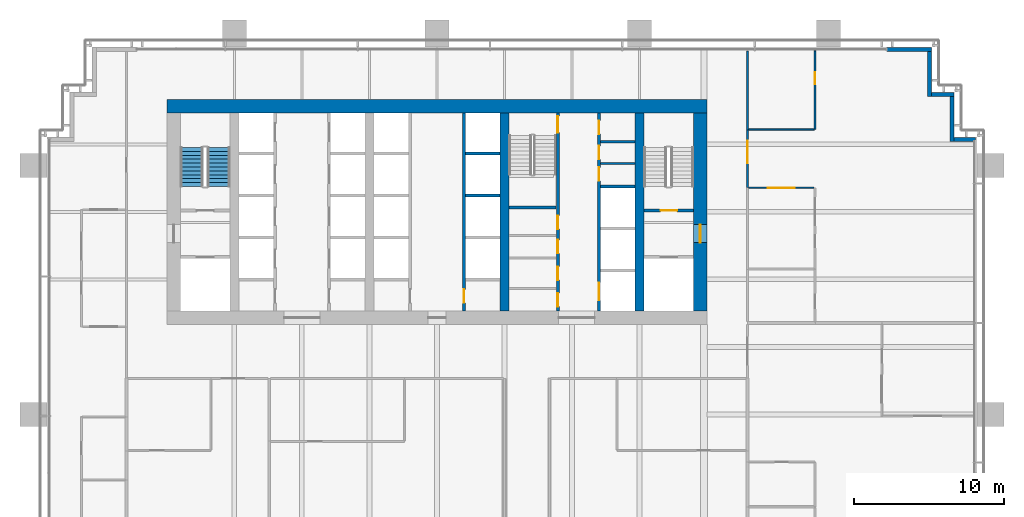
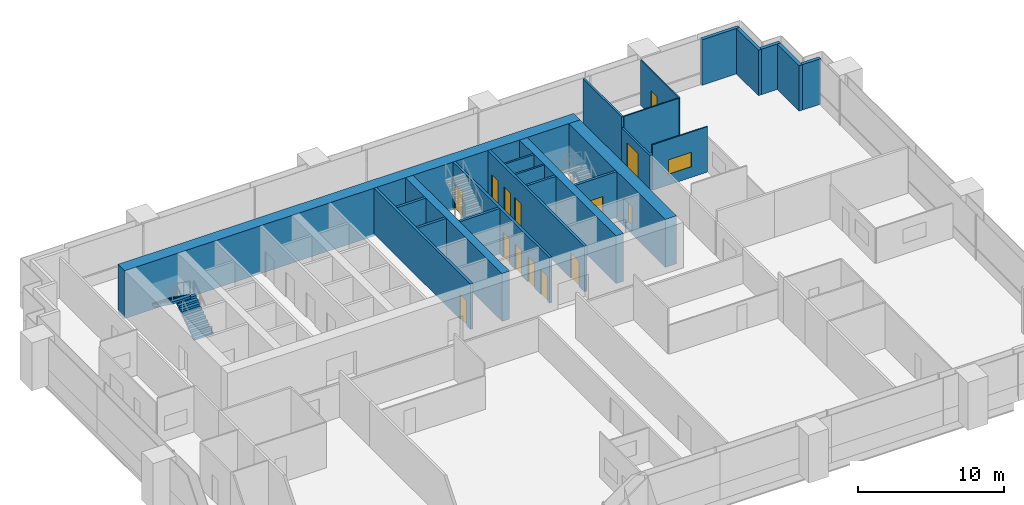
# One storey, part 15 of 19: 24 walls, 14 doors, 2 stair flights, 1 window, 15 openings, 1 element without a shape of its own.
"""IFC4 building model written with IfcOpenShell, lengths in metres."""

from ifc_helpers import new_model, si_unit, direction, frame, frame_2d, origin, place, context, subcontext, project, spatial, polyline, rectangle, outline, extrude, material, layer, layer_set, type_object, element, fill, aggregate, save


model = new_model("IFC4")

# Units and contexts
model_context = context("Model", 3, precision=1e-05, world=origin(), true_north=direction((0.0, 1.0)))
body_context = subcontext(model_context, "Body", "Model", "MODEL_VIEW")
ifc_project = project(units=[si_unit("LENGTHUNIT", "METRE"), si_unit("AREAUNIT", "SQUARE_METRE"), si_unit("VOLUMEUNIT", "CUBIC_METRE"), si_unit("PLANEANGLEUNIT", "RADIAN"), si_unit("MASSUNIT", "GRAM", prefix="KILO")], contexts=[model_context])

# Site, building, storey
site_placement = place(None, origin())
site = spatial("IfcSite", under=ifc_project, at=site_placement, CompositionType="ELEMENT")
building_placement = place(site_placement, origin())
building = spatial("IfcBuilding", under=site, at=building_placement, Name="Rattan Terrace Tower", CompositionType="ELEMENT")
storey_placement = place(building_placement, frame((0.0, 0.0, 99.699951171875)))
storey = spatial("IfcBuildingStorey", under=building, at=storey_placement, Name="L22", CompositionType="ELEMENT", Elevation=99.699951171875)

# Walls
ifc_material_1 = material(Name="Gypsum board partition")
ifc_layer_1 = layer(ifc_material_1, 0.14990234375)
ifc_layer_set_1 = layer_set([ifc_layer_1], Name="Core partition 150")
wall_type_1 = type_object("IfcWallType", Name="Core partition 150", PredefinedType="PARTITIONING", material=ifc_layer_set_1)
for number, where, z_axis, x_axis, name in (
    (1, (10.89990234375, 3.239990234375, 0.0), (0.0, 0.0, 1.0), (1.0, 0.0, 0.0), "Riser room wall"),
    (2, (10.89990234375, 4.679931640625, 0.0), (0.0, 0.0, 1.0), (1.0, 0.0, 0.0), "Riser room wall"),
):
    element("IfcWall", number, at=place(storey_placement, frame(where, z_axis=z_axis, x_axis=x_axis)), inside=storey, type_object=wall_type_1, Name=name, PredefinedType="PARTITIONING", context=body_context, shape_type="SweptSolid", body=[
        extrude(rectangle(XDim=2.300048828125, YDim=0.14990234375, at=frame_2d((1.14990234375, 0.0))), origin(), (0.0, 0.0, 1.0), 3.800048828125),
    ])

# Wall, opening, door
ifc_material_2 = material(Name="Gypsum board partition")
ifc_layer_2 = layer(ifc_material_2, 0.199951171875)
ifc_layer_set_2 = layer_set([ifc_layer_2], Name="Core partition 200")
wall_type_2 = type_object("IfcWallType", Name="Core partition 200", PredefinedType="PARTITIONING", material=ifc_layer_set_2)
wall_1_placement = place(storey_placement, frame((13.800048828125, 0.10009765625, 0.0), z_axis=(0.0, 0.0, 1.0), x_axis=(1.0, 0.0, 0.0)))
wall_1 = element("IfcWall", 3, at=wall_1_placement, inside=storey, type_object=wall_type_2, Name="Stair enclosure wall", PredefinedType="PARTITIONING", context=body_context, shape_type="SweptSolid", body=[
    extrude(rectangle(XDim=3.300048828125, YDim=0.199951171875, at=frame_2d((1.64990234375, 0.0))), origin(), (0.0, 0.0, 1.0), 3.800048828125),
])
opening_1_placement = place(wall_1_placement, frame((1.10009765625, 0.0, 0.0)))
opening_1 = element("IfcOpeningElement", 4, at=opening_1_placement, cuts=wall_1, Name="Opening L22-D004", PredefinedType="OPENING", context=body_context, shape_type="SweptSolid", body=[
    extrude(rectangle(XDim=1.10009765625, YDim=2.10009765625, at=frame_2d((0.550048828125, 1.050048828125))), frame((0.0, 0.110595703125, 0.0), z_axis=(0.0, -1.0, 0.0), x_axis=(1.0, 0.0, 0.0)), (0.0, 0.0, 1.0), 0.220947265625),
])
ifc_material_3 = material(Name="Hollow-metal fire door leaf")
door_type_1 = type_object("IfcDoorType", Name="Core stair door 1100", OperationType="NOTDEFINED", PredefinedType="DOOR", material=ifc_material_3)
door_1_placement = place(opening_1_placement, origin())
door_1 = element("IfcDoor", 5, at=door_1_placement, inside=storey, type_object=door_type_1, Name="Door L22-D004", OperationType="SINGLE_SWING_LEFT", OverallHeight=2.10009765625, OverallWidth=1.10009765625, PredefinedType="DOOR", context=body_context, shape_type="SweptSolid", body=[
    extrude(rectangle(XDim=1.10009765625, YDim=2.10009765625, at=frame_2d((0.550048828125, 1.050048828125))), frame((0.0, 0.02490234375, 0.0), z_axis=(0.0, -1.0, 0.0), x_axis=(1.0, 0.0, 0.0)), (0.0, 0.0, 1.0), 0.050048828125),
])
fill(opening_1, door_1)

# Wall, openings, doors
wall_2_placement = place(storey_placement, frame((8.050048828125, -6.60009765625, 0.0), z_axis=(0.0, 0.0, 1.0), x_axis=(0.0, 1.0, 0.0)))
wall_2 = element("IfcWall", 6, at=wall_2_placement, inside=storey, type_object=wall_type_2, Name="Lobby wall west", PredefinedType="PARTITIONING", context=body_context, shape_type="SweptSolid", body=[
    extrude(rectangle(XDim=13.2001953125, YDim=0.199951171875, at=frame_2d((6.60009765625, 0.0))), origin(), (0.0, 0.0, 1.0), 3.800048828125),
])
opening_2_placement = place(wall_2_placement, frame((0.298095703125, 0.0, 0.0)))
opening_2 = element("IfcOpeningElement", 7, at=opening_2_placement, cuts=wall_2, Name="Opening L22-D011", PredefinedType="OPENING", context=body_context, shape_type="SweptSolid", body=[
    extrude(rectangle(XDim=0.89990234375, YDim=2.10009765625, at=frame_2d((0.449951171875, 1.050048828125))), frame((0.0, 0.110595703125, 0.0), z_axis=(0.0, -1.0, 0.0), x_axis=(1.0, 0.0, 0.0)), (0.0, 0.0, 1.0), 0.220947265625),
])
opening_3_placement = place(wall_2_placement, frame((2.06591796875, 0.0, 0.0)))
opening_3 = element("IfcOpeningElement", 8, at=opening_3_placement, cuts=wall_2, Name="Opening L22-D012", PredefinedType="OPENING", context=body_context, shape_type="SweptSolid", body=[
    extrude(rectangle(XDim=0.89990234375, YDim=2.10009765625, at=frame_2d((0.449951171875, 1.050048828125))), frame((0.0, 0.110595703125, 0.0), z_axis=(0.0, -1.0, 0.0), x_axis=(1.0, 0.0, 0.0)), (0.0, 0.0, 1.0), 0.220947265625),
])
opening_4_placement = place(wall_2_placement, frame((3.833984375, 0.0, 0.0)))
opening_4 = element("IfcOpeningElement", 9, at=opening_4_placement, cuts=wall_2, Name="Opening L22-D013", PredefinedType="OPENING", context=body_context, shape_type="SweptSolid", body=[
    extrude(rectangle(XDim=0.89990234375, YDim=2.10009765625, at=frame_2d((0.449951171875, 1.050048828125))), frame((0.0, 0.110595703125, 0.0), z_axis=(0.0, -1.0, 0.0), x_axis=(1.0, 0.0, 0.0)), (0.0, 0.0, 1.0), 0.220947265625),
])
opening_5_placement = place(wall_2_placement, frame((5.466064453125, 0.0, 0.0)))
opening_5 = element("IfcOpeningElement", 10, at=opening_5_placement, cuts=wall_2, Name="Opening L22-D014", PredefinedType="OPENING", context=body_context, shape_type="SweptSolid", body=[
    extrude(rectangle(XDim=0.89990234375, YDim=2.10009765625, at=frame_2d((0.449951171875, 1.050048828125))), frame((0.0, 0.110595703125, 0.0), z_axis=(0.0, -1.0, 0.0), x_axis=(1.0, 0.0, 0.0)), (0.0, 0.0, 1.0), 0.220947265625),
])
opening_6_placement = place(wall_2_placement, frame((11.89990234375, 0.0, 0.0)))
opening_6 = element("IfcOpeningElement", 11, at=opening_6_placement, cuts=wall_2, Name="Opening L22-D015", PredefinedType="OPENING", context=body_context, shape_type="SweptSolid", body=[
    extrude(rectangle(XDim=1.10009765625, YDim=2.10009765625, at=frame_2d((0.550048828125, 1.050048828125))), frame((0.0, 0.110595703125, 0.0), z_axis=(0.0, -1.0, 0.0), x_axis=(1.0, 0.0, 0.0)), (0.0, 0.0, 1.0), 0.220947265625),
])
ifc_material_4 = material(Name="Hollow-metal fire door leaf")
door_type_2 = type_object("IfcDoorType", Name="Core service room door 900", OperationType="NOTDEFINED", PredefinedType="DOOR", material=ifc_material_4)
door_2_placement = place(opening_5_placement, origin())
door_2 = element("IfcDoor", 12, at=door_2_placement, inside=storey, type_object=door_type_2, Name="Door L22-D014", OperationType="SINGLE_SWING_RIGHT", OverallHeight=2.10009765625, OverallWidth=0.89990234375, PredefinedType="DOOR", context=body_context, shape_type="SweptSolid", body=[
    extrude(rectangle(XDim=0.89990234375, YDim=2.10009765625, at=frame_2d((0.449951171875, 1.050048828125))), frame((0.0, 0.02490234375, 0.0), z_axis=(0.0, -1.0, 0.0), x_axis=(1.0, 0.0, 0.0)), (0.0, 0.0, 1.0), 0.050048828125),
])
fill(opening_5, door_2)
door_3_placement = place(opening_6_placement, origin())
door_3 = element("IfcDoor", 13, at=door_3_placement, inside=storey, type_object=door_type_1, Name="Door L22-D015", OperationType="SINGLE_SWING_LEFT", OverallHeight=2.10009765625, OverallWidth=1.10009765625, PredefinedType="DOOR", context=body_context, shape_type="SweptSolid", body=[
    extrude(rectangle(XDim=1.10009765625, YDim=2.10009765625, at=frame_2d((0.550048828125, 1.050048828125))), frame((0.0, 0.02490234375, 0.0), z_axis=(0.0, -1.0, 0.0), x_axis=(1.0, 0.0, 0.0)), (0.0, 0.0, 1.0), 0.050048828125),
])
fill(opening_6, door_3)
ifc_material_5 = material(Name="Hollow-metal fire door leaf")
door_type_3 = type_object("IfcDoorType", Name="Core toilet door 900", OperationType="NOTDEFINED", PredefinedType="DOOR", material=ifc_material_5)
door_4_placement = place(opening_2_placement, origin())
door_4 = element("IfcDoor", 14, at=door_4_placement, inside=storey, type_object=door_type_3, Name="Door L22-D011", OperationType="SINGLE_SWING_LEFT", OverallHeight=2.10009765625, OverallWidth=0.89990234375, PredefinedType="DOOR", context=body_context, shape_type="SweptSolid", body=[
    extrude(rectangle(XDim=0.89990234375, YDim=2.10009765625, at=frame_2d((0.449951171875, 1.050048828125))), frame((0.0, 0.02490234375, 0.0), z_axis=(0.0, -1.0, 0.0), x_axis=(1.0, 0.0, 0.0)), (0.0, 0.0, 1.0), 0.050048828125),
])
fill(opening_2, door_4)
door_5_placement = place(opening_3_placement, origin())
door_5 = element("IfcDoor", 15, at=door_5_placement, inside=storey, type_object=door_type_3, Name="Door L22-D012", OperationType="SINGLE_SWING_RIGHT", OverallHeight=2.10009765625, OverallWidth=0.89990234375, PredefinedType="DOOR", context=body_context, shape_type="SweptSolid", body=[
    extrude(rectangle(XDim=0.89990234375, YDim=2.10009765625, at=frame_2d((0.449951171875, 1.050048828125))), frame((0.0, 0.02490234375, 0.0), z_axis=(0.0, -1.0, 0.0), x_axis=(1.0, 0.0, 0.0)), (0.0, 0.0, 1.0), 0.050048828125),
])
fill(opening_3, door_5)
door_6_placement = place(opening_4_placement, origin())
door_6 = element("IfcDoor", 16, at=door_6_placement, inside=storey, type_object=door_type_3, Name="Door L22-D013", OperationType="SINGLE_SWING_LEFT", OverallHeight=2.10009765625, OverallWidth=0.89990234375, PredefinedType="DOOR", context=body_context, shape_type="SweptSolid", body=[
    extrude(rectangle(XDim=0.89990234375, YDim=2.10009765625, at=frame_2d((0.449951171875, 1.050048828125))), frame((0.0, 0.02490234375, 0.0), z_axis=(0.0, -1.0, 0.0), x_axis=(1.0, 0.0, 0.0)), (0.0, 0.0, 1.0), 0.050048828125),
])
fill(opening_4, door_6)

# Walls
wall_3_placement = place(storey_placement, frame((4.800048828125, 0.300048828125, 0.0), z_axis=(0.0, 0.0, 1.0), x_axis=(1.0, 0.0, 0.0)))
element("IfcWall", 17, at=wall_3_placement, inside=storey, type_object=wall_type_2, Name="Stair enclosure wall", PredefinedType="PARTITIONING", context=body_context, shape_type="SweptSolid", body=[
    extrude(rectangle(XDim=3.14990234375, YDim=0.199951171875, at=frame_2d((1.574951171875, 0.0))), origin(), (0.0, 0.0, 1.0), 3.800048828125),
])
ifc_material_6 = material(Name="Concrete C70/85", Category="concrete")
ifc_layer_3 = layer(ifc_material_6, 0.89990234375)
ifc_layer_set_3 = layer_set([ifc_layer_3], Name="Core ring wall 900 C70/85")
wall_type_3 = type_object("IfcWallType", Name="Core ring wall 900 C70/85", PredefinedType="SHEAR", material=ifc_layer_set_3)
wall_4_placement = place(storey_placement, frame((-18.0, 7.050048828125, -0.199951171875), z_axis=(0.0, 0.0, 1.0), x_axis=(1.0, 0.0, 0.0)))
element("IfcWall", 18, at=wall_4_placement, inside=storey, type_object=wall_type_3, Name="Rear core wall north", PredefinedType="SHEAR", context=body_context, shape_type="SweptSolid", body=[
    extrude(rectangle(XDim=36.0, YDim=0.89990234375, at=frame_2d((18.0, 0.0))), origin(), (0.0, 0.0, 1.0), 4.0),
])

# Wall, opening, door
wall_5_placement = place(storey_placement, frame((17.550048828125, -6.60009765625, -0.199951171875), z_axis=(0.0, 0.0, 1.0), x_axis=(0.0, 1.0, 0.0)))
wall_5 = element("IfcWall", 19, at=wall_5_placement, inside=storey, type_object=wall_type_3, Name="Rear core wall east", PredefinedType="SHEAR", context=body_context, shape_type="SweptSolid", body=[
    extrude(rectangle(XDim=13.2001953125, YDim=0.89990234375, at=frame_2d((6.60009765625, 0.0))), origin(), (0.0, 0.0, 1.0), 4.0),
])
opening_7_placement = place(wall_5_placement, frame((4.550048828125, 0.0, 0.199951171875)))
opening_7 = element("IfcOpeningElement", 20, at=opening_7_placement, cuts=wall_5, Name="Opening L22-D003", PredefinedType="OPENING", context=body_context, shape_type="SweptSolid", body=[
    extrude(rectangle(XDim=1.199951171875, YDim=2.10009765625, at=frame_2d((0.60009765625, 1.050048828125))), frame((0.0, 0.46044921875, 0.0), z_axis=(0.0, -1.0, 0.0), x_axis=(1.0, 0.0, 0.0)), (0.0, 0.0, 1.0), 0.9208984375),
])
ifc_material_7 = material(Name="Hollow-metal fire door leaf")
door_type_4 = type_object("IfcDoorType", Name="Core fire-fighting lobby door 1200", OperationType="NOTDEFINED", PredefinedType="DOOR", material=ifc_material_7)
door_7_placement = place(opening_7_placement, origin())
door_7 = element("IfcDoor", 21, at=door_7_placement, inside=storey, type_object=door_type_4, Name="Door L22-D003", OperationType="SINGLE_SWING_RIGHT", OverallHeight=2.10009765625, OverallWidth=1.199951171875, PredefinedType="DOOR", context=body_context, shape_type="SweptSolid", body=[
    extrude(rectangle(XDim=1.199951171875, YDim=2.10009765625, at=frame_2d((0.60009765625, 1.050048828125))), frame((0.0, 0.02490234375, 0.0), z_axis=(0.0, -1.0, 0.0), x_axis=(1.0, 0.0, 0.0)), (0.0, 0.0, 1.0), 0.050048828125),
])
fill(opening_7, door_7)

# Walls
ifc_material_8 = material(Name="Concrete C70/85", Category="concrete")
ifc_layer_4 = layer(ifc_material_8, 0.60009765625)
ifc_layer_set_4 = layer_set([ifc_layer_4], Name="Core spine wall 600 C70/85")
wall_type_4 = type_object("IfcWallType", Name="Core spine wall 600 C70/85", PredefinedType="SHEAR", material=ifc_layer_set_4)
for number, where, z_axis, x_axis, name in (
    (22, (4.5, -6.60009765625, -0.199951171875), (0.0, 0.0, 1.0), (0.0, 1.0, 0.0), "Core spine wall 3"),
    (23, (13.5, -6.60009765625, -0.199951171875), (0.0, 0.0, 1.0), (0.0, 1.0, 0.0), "Core spine wall 4"),
):
    element("IfcWall", number, at=place(storey_placement, frame(where, z_axis=z_axis, x_axis=x_axis)), inside=storey, type_object=wall_type_4, Name=name, PredefinedType="SHEAR", context=body_context, shape_type="SweptSolid", body=[
        extrude(rectangle(XDim=13.2001953125, YDim=0.60009765625, at=frame_2d((6.60009765625, 0.0))), origin(), (0.0, 0.0, 1.0), 4.0),
    ])
ifc_material_9 = material(Name="Insulated aluminium-clad stud wall", Category="aluminium")
ifc_layer_5 = layer(ifc_material_9, 0.25)
ifc_layer_set_5 = layer_set([ifc_layer_5], Name="Facade Riser Wall 250")
wall_type_5 = type_object("IfcWallType", Name="Facade Riser Wall 250", PredefinedType="SOLIDWALL", material=ifc_layer_set_5)
wall_6_placement = place(storey_placement, frame((35.909912109375, 4.830078125, 0.0), z_axis=(0.0, 0.0, 1.0), x_axis=(-1.0, 0.0, 0.0)))
element("IfcWall", 24, at=wall_6_placement, inside=storey, type_object=wall_type_5, Name="Riser wall L22-6", PredefinedType="SOLIDWALL", context=body_context, shape_type="SweptSolid", body=[
    extrude(rectangle(XDim=1.454833984375, YDim=0.25, at=frame_2d((0.7275390625, 0.0))), origin(), (0.0, 0.0, 1.0), 3.800048828125),
])
wall_7_placement = place(storey_placement, frame((34.330078125, 4.705078125, 0.0), z_axis=(0.0, 0.0, 1.0), x_axis=(0.0, 1.0, 0.0)))
element("IfcWall", 25, at=wall_7_placement, inside=storey, type_object=wall_type_5, Name="Riser wall L22-7", PredefinedType="SOLIDWALL", context=body_context, shape_type="SweptSolid", body=[
    extrude(rectangle(XDim=3.0, YDim=0.25, at=frame_2d((1.5, 0.0))), origin(), (0.0, 0.0, 1.0), 3.800048828125),
])
wall_8_placement = place(storey_placement, frame((34.455078125, 7.830078125, 0.0), z_axis=(0.0, 0.0, 1.0), x_axis=(-1.0, 0.0, 0.0)))
element("IfcWall", 26, at=wall_8_placement, inside=storey, type_object=wall_type_5, Name="Riser wall L22-8", PredefinedType="SOLIDWALL", context=body_context, shape_type="SweptSolid", body=[
    extrude(rectangle(XDim=1.5, YDim=0.25, at=frame_2d((0.75, 0.0))), origin(), (0.0, 0.0, 1.0), 3.800048828125),
])
wall_9_placement = place(storey_placement, frame((32.830078125, 7.705078125, 0.0), z_axis=(0.0, 0.0, 1.0), x_axis=(0.0, 1.0, 0.0)))
element("IfcWall", 27, at=wall_9_placement, inside=storey, type_object=wall_type_5, Name="Riser wall L22-9", PredefinedType="SOLIDWALL", context=body_context, shape_type="SweptSolid", body=[
    extrude(rectangle(XDim=3.0, YDim=0.25, at=frame_2d((1.5, 0.0))), origin(), (0.0, 0.0, 1.0), 3.800048828125),
])
wall_10_placement = place(storey_placement, frame((32.955078125, 10.830078125, 0.0), z_axis=(0.0, 0.0, 1.0), x_axis=(-1.0, 0.0, 0.0)))
element("IfcWall", 28, at=wall_10_placement, inside=storey, type_object=wall_type_5, Name="Riser wall L22-10", PredefinedType="SOLIDWALL", context=body_context, shape_type="SweptSolid", body=[
    extrude(rectangle(XDim=2.955078125, YDim=0.25, at=frame_2d((1.4775390625, 0.0))), origin(), (0.0, 0.0, 1.0), 3.800048828125),
])

# Wall, opening, window
ifc_material_10 = material(Name="Gypsum board partition on steel studs", Category="steel")
ifc_layer_6 = layer(ifc_material_10, 0.10009765625)
ifc_layer_set_6 = layer_set([ifc_layer_6], Name="Floors Partition 100")
wall_type_6 = type_object("IfcWallType", Name="Floors Partition 100", PredefinedType="PARTITIONING", material=ifc_layer_set_6)
wall_11_placement = place(storey_placement, frame((25.14990234375, 1.60009765625, 0.0), z_axis=(0.0, 0.0, 1.0), x_axis=(-1.0, 0.0, 0.0)))
wall_11 = element("IfcWall", 29, at=wall_11_placement, inside=storey, type_object=wall_type_6, Name="pt-L22-052", PredefinedType="PARTITIONING", context=body_context, shape_type="SweptSolid", body=[
    extrude(rectangle(XDim=4.375, YDim=0.10009765625, at=frame_2d((2.1875, 0.0))), origin(), (0.0, 0.0, 1.0), 3.800048828125),
])
opening_8_placement = place(wall_11_placement, frame((1.2880859375, 0.0, 0.89990234375)))
opening_8 = element("IfcOpeningElement", 30, at=opening_8_placement, cuts=wall_11, Name="Opening L22-W105", PredefinedType="OPENING", context=body_context, shape_type="SweptSolid", body=[
    extrude(rectangle(XDim=1.800048828125, YDim=1.199951171875, at=frame_2d((0.89990234375, 0.60009765625))), frame((0.0, 0.060546875, 0.0), z_axis=(0.0, -1.0, 0.0), x_axis=(1.0, 0.0, 0.0)), (0.0, 0.0, 1.0), 0.12109375),
])
ifc_material_11 = material(Name="Glass, clear, fixed in aluminium frame", Category="aluminium")
window_type = type_object("IfcWindowType", Name="Interior Vision Window 1800x1200", PartitioningType="SINGLE_PANEL", PredefinedType="WINDOW", material=ifc_material_11)
window_placement = place(opening_8_placement, origin())
window = element("IfcWindow", 31, at=window_placement, inside=storey, type_object=window_type, Name="w-L22-105", OverallHeight=1.199951171875, OverallWidth=1.800048828125, PartitioningType="SINGLE_PANEL", PredefinedType="WINDOW", context=body_context, shape_type="SweptSolid", body=[
    extrude(rectangle(XDim=1.800048828125, YDim=1.199951171875, at=frame_2d((0.89990234375, 0.60009765625))), frame((0.0, 0.030029296875, 0.0), z_axis=(0.0, -1.0, 0.0), x_axis=(1.0, 0.0, 0.0)), (0.0, 0.0, 1.0), 0.06005859375),
])
fill(opening_8, window)

# Wall
wall_12_placement = place(storey_placement, frame((20.77490234375, 5.5, 0.0), z_axis=(0.0, 0.0, 1.0), x_axis=(1.0, 0.0, 0.0)))
element("IfcWall", 32, at=wall_12_placement, inside=storey, type_object=wall_type_6, Name="pt-L22-054", PredefinedType="PARTITIONING", context=body_context, shape_type="SweptSolid", body=[
    extrude(rectangle(XDim=4.375, YDim=0.10009765625, at=frame_2d((2.1875, 0.0))), origin(), (0.0, 0.0, 1.0), 3.800048828125),
])

# Wall, opening, door
wall_13_placement = place(storey_placement, frame((25.199951171875, 5.5, 0.0), z_axis=(0.0, 0.0, 1.0), x_axis=(0.0, 1.0, 0.0)))
wall_13 = element("IfcWall", 33, at=wall_13_placement, inside=storey, type_object=wall_type_6, Name="pt-L22-055", PredefinedType="PARTITIONING", context=body_context, shape_type="SweptSolid", body=[
    extrude(rectangle(XDim=5.239990234375, YDim=0.10009765625, at=frame_2d((2.6201171875, 0.0))), origin(), (0.0, 0.0, 1.0), 3.800048828125),
])
opening_9_placement = place(wall_13_placement, frame((3.008056640625, 0.0, 0.0)))
opening_9 = element("IfcOpeningElement", 34, at=opening_9_placement, cuts=wall_13, Name="Opening L22-D114", PredefinedType="OPENING", context=body_context, shape_type="SweptSolid", body=[
    extrude(rectangle(XDim=0.800048828125, YDim=2.10009765625, at=frame_2d((0.39990234375, 1.050048828125))), frame((0.0, 0.060546875, 0.0), z_axis=(0.0, -1.0, 0.0), x_axis=(1.0, 0.0, 0.0)), (0.0, 0.0, 1.0), 0.12109375),
])
ifc_material_12 = material(Name="Solid core timber door, painted", Category="wood")
door_type_5 = type_object("IfcDoorType", Name="Floors Store Door 800x2100", OperationType="NOTDEFINED", PredefinedType="DOOR", material=ifc_material_12)
door_8_placement = place(opening_9_placement, origin())
door_8 = element("IfcDoor", 35, at=door_8_placement, inside=storey, type_object=door_type_5, Name="d-L22-114", OperationType="SINGLE_SWING_RIGHT", OverallHeight=2.10009765625, OverallWidth=0.800048828125, PredefinedType="DOOR", context=body_context, shape_type="SweptSolid", body=[
    extrude(rectangle(XDim=0.800048828125, YDim=2.10009765625, at=frame_2d((0.39990234375, 1.050048828125))), frame((0.0, 0.02490234375, 0.0), z_axis=(0.0, -1.0, 0.0), x_axis=(1.0, 0.0, 0.0)), (0.0, 0.0, 1.0), 0.050048828125),
])
fill(opening_9, door_8)

ifc_material_13 = material(Name="Gypsum board partition on steel studs, fire rated", Category="steel")
ifc_layer_7 = layer(ifc_material_13, 0.14990234375)
ifc_layer_set_7 = layer_set([ifc_layer_7], Name="Floors Tenancy Wall 150")
wall_type_7 = type_object("IfcWallType", Name="Floors Tenancy Wall 150", PredefinedType="PARTITIONING", material=ifc_layer_set_7)
wall_14_placement = place(storey_placement, frame((20.699951171875, 5.47998046875, 0.0), z_axis=(0.0, 0.0, 1.0), x_axis=(0.0, -1.0, 0.0)))
wall_14 = element("IfcWall", 36, at=wall_14_placement, inside=storey, type_object=wall_type_7, Name="pt-L22-005", PredefinedType="PARTITIONING", context=body_context, shape_type="SweptSolid", body=[
    extrude(rectangle(XDim=3.85986328125, YDim=0.14990234375, at=frame_2d((1.929931640625, 0.0))), origin(), (0.0, 0.0, 1.0), 2.900146484375),
])
opening_10_placement = place(wall_14_placement, frame((0.715087890625, 0.0, 0.0)))
opening_10 = element("IfcOpeningElement", 37, at=opening_10_placement, cuts=wall_14, Name="Opening L22-D111", PredefinedType="OPENING", context=body_context, shape_type="SweptSolid", body=[
    extrude(rectangle(XDim=1.5, YDim=2.10009765625, at=frame_2d((0.75, 1.050048828125))), frame((0.0, 0.08544921875, 0.0), z_axis=(0.0, -1.0, 0.0), x_axis=(1.0, 0.0, 0.0)), (0.0, 0.0, 1.0), 0.1708984375),
])
ifc_material_14 = material(Name="Steel fire door set", Category="steel")
door_type_6 = type_object("IfcDoorType", Name="Floors Unit Door Pair FD30S 1500x2100", OperationType="NOTDEFINED", PredefinedType="DOOR", material=ifc_material_14)
door_9_placement = place(opening_10_placement, origin())
door_9 = element("IfcDoor", 38, at=door_9_placement, inside=storey, type_object=door_type_6, Name="d-L22-111", OperationType="DOUBLE_DOOR_SINGLE_SWING", OverallHeight=2.10009765625, OverallWidth=1.5, PredefinedType="DOOR", context=body_context, shape_type="SweptSolid", body=[
    extrude(rectangle(XDim=1.5, YDim=2.10009765625, at=frame_2d((0.75, 1.050048828125))), frame((0.0, 0.02490234375, 0.0), z_axis=(0.0, -1.0, 0.0), x_axis=(1.0, 0.0, 0.0)), (0.0, 0.0, 1.0), 0.050048828125),
])
fill(opening_10, door_9)

# Wall
wall_15_placement = place(storey_placement, frame((20.699951171875, 10.739990234375, 0.0), z_axis=(0.0, 0.0, 1.0), x_axis=(0.0, -1.0, 0.0)))
element("IfcWall", 39, at=wall_15_placement, inside=storey, type_object=wall_type_7, Name="pt-L22-008", PredefinedType="PARTITIONING", context=body_context, shape_type="SweptSolid", body=[
    extrude(rectangle(XDim=5.260009765625, YDim=0.14990234375, at=frame_2d((2.6298828125, 0.0))), origin(), (0.0, 0.0, 1.0), 3.800048828125),
])

# Wall, opening, door
ifc_material_15 = material(Name="Gypsum shaft wall system")
ifc_layer_8 = layer(ifc_material_15, 0.199951171875)
ifc_layer_set_8 = layer_set([ifc_layer_8], Name="Lift shaft wall 200")
wall_type_8 = type_object("IfcWallType", Name="Lift shaft wall 200", PredefinedType="PARTITIONING", material=ifc_layer_set_8)
wall_16_placement = place(storey_placement, frame((1.800048828125, -6.60009765625, 0.0), z_axis=(0.0, 0.0, 1.0), x_axis=(0.0, 1.0, 0.0)))
wall_16 = element("IfcWall", 40, at=wall_16_placement, inside=storey, type_object=wall_type_8, Name="Lift shaft front wall", PredefinedType="PARTITIONING", context=body_context, shape_type="SweptSolid", body=[
    extrude(rectangle(XDim=13.2001953125, YDim=0.199951171875, at=frame_2d((6.60009765625, 0.0))), origin(), (0.0, 0.0, 1.0), 3.800048828125),
])
opening_11_placement = place(wall_16_placement, frame((0.550048828125, 0.0, 0.0)))
opening_11 = element("IfcOpeningElement", 41, at=opening_11_placement, cuts=wall_16, Name="Opening L22-D009", PredefinedType="OPENING", context=body_context, shape_type="SweptSolid", body=[
    extrude(rectangle(XDim=0.89990234375, YDim=2.10009765625, at=frame_2d((0.449951171875, 1.050048828125))), frame((0.0, 0.110595703125, 0.0), z_axis=(0.0, -1.0, 0.0), x_axis=(1.0, 0.0, 0.0)), (0.0, 0.0, 1.0), 0.220947265625),
])
ifc_material_16 = material(Name="Hollow-metal fire door leaf")
door_type_7 = type_object("IfcDoorType", Name="Core riser door 900", OperationType="NOTDEFINED", PredefinedType="DOOR", material=ifc_material_16)
door_10_placement = place(opening_11_placement, origin())
door_10 = element("IfcDoor", 42, at=door_10_placement, inside=storey, type_object=door_type_7, Name="Door L22-D009", OperationType="SINGLE_SWING_LEFT", OverallHeight=2.10009765625, OverallWidth=0.89990234375, PredefinedType="DOOR", context=body_context, shape_type="SweptSolid", body=[
    extrude(rectangle(XDim=0.89990234375, YDim=2.10009765625, at=frame_2d((0.449951171875, 1.050048828125))), frame((0.0, 0.02490234375, 0.0), z_axis=(0.0, -1.0, 0.0), x_axis=(1.0, 0.0, 0.0)), (0.0, 0.0, 1.0), 0.050048828125),
])
fill(opening_11, door_10)

# Walls
for number, where, z_axis, x_axis, name in (
    (43, (1.89990234375, 1.10009765625, 0.0), (0.0, 0.0, 1.0), (1.0, 0.0, 0.0), "Lift shaft wall"),
    (44, (1.89990234375, 3.89990234375, 0.0), (0.0, 0.0, 1.0), (1.0, 0.0, 0.0), "Lift shaft wall"),
):
    element("IfcWall", number, at=place(storey_placement, frame(where, z_axis=z_axis, x_axis=x_axis)), inside=storey, type_object=wall_type_8, Name=name, PredefinedType="PARTITIONING", context=body_context, shape_type="SweptSolid", body=[
        extrude(rectangle(XDim=2.300048828125, YDim=0.199951171875, at=frame_2d((1.14990234375, 0.0))), origin(), (0.0, 0.0, 1.0), 3.800048828125),
    ])

# Wall, openings, doors
wall_17_placement = place(storey_placement, frame((10.800048828125, -6.60009765625, 0.0), z_axis=(0.0, 0.0, 1.0), x_axis=(0.0, 1.0, 0.0)))
wall_17 = element("IfcWall", 45, at=wall_17_placement, inside=storey, type_object=wall_type_8, Name="Lift shaft front wall", PredefinedType="PARTITIONING", context=body_context, shape_type="SweptSolid", body=[
    extrude(rectangle(XDim=13.2001953125, YDim=0.199951171875, at=frame_2d((6.60009765625, 0.0))), origin(), (0.0, 0.0, 1.0), 3.800048828125),
])
opening_12_placement = place(wall_17_placement, frame((0.699951171875, 0.0, 0.0)))
opening_12 = element("IfcOpeningElement", 46, at=opening_12_placement, cuts=wall_17, Name="Opening L22-LD-SV1", PredefinedType="OPENING", context=body_context, shape_type="SweptSolid", body=[
    extrude(rectangle(XDim=1.199951171875, YDim=2.10009765625, at=frame_2d((0.60009765625, 1.050048828125))), frame((0.0, 0.110595703125, 0.0), z_axis=(0.0, -1.0, 0.0), x_axis=(1.0, 0.0, 0.0)), (0.0, 0.0, 1.0), 0.220947265625),
])
opening_13_placement = place(wall_17_placement, frame((8.669921875, 0.0, 0.0)))
opening_13 = element("IfcOpeningElement", 47, at=opening_13_placement, cuts=wall_17, Name="Opening L22-D017", PredefinedType="OPENING", context=body_context, shape_type="SweptSolid", body=[
    extrude(rectangle(XDim=0.89990234375, YDim=2.10009765625, at=frame_2d((0.449951171875, 1.050048828125))), frame((0.0, 0.110595703125, 0.0), z_axis=(0.0, -1.0, 0.0), x_axis=(1.0, 0.0, 0.0)), (0.0, 0.0, 1.0), 0.220947265625),
])
opening_14_placement = place(wall_17_placement, frame((10.110107421875, 0.0, 0.0)))
opening_14 = element("IfcOpeningElement", 48, at=opening_14_placement, cuts=wall_17, Name="Opening L22-D018", PredefinedType="OPENING", context=body_context, shape_type="SweptSolid", body=[
    extrude(rectangle(XDim=0.89990234375, YDim=2.10009765625, at=frame_2d((0.449951171875, 1.050048828125))), frame((0.0, 0.110595703125, 0.0), z_axis=(0.0, -1.0, 0.0), x_axis=(1.0, 0.0, 0.0)), (0.0, 0.0, 1.0), 0.220947265625),
])
opening_15_placement = place(wall_17_placement, frame((11.7900390625, 0.0, 0.0)))
opening_15 = element("IfcOpeningElement", 49, at=opening_15_placement, cuts=wall_17, Name="Opening L22-D019", PredefinedType="OPENING", context=body_context, shape_type="SweptSolid", body=[
    extrude(rectangle(XDim=0.89990234375, YDim=2.10009765625, at=frame_2d((0.449951171875, 1.050048828125))), frame((0.0, 0.110595703125, 0.0), z_axis=(0.0, -1.0, 0.0), x_axis=(1.0, 0.0, 0.0)), (0.0, 0.0, 1.0), 0.220947265625),
])
ifc_material_17 = material(Name="Brushed stainless landing door panel")
door_type_8 = type_object("IfcDoorType", Name="Core lift landing door 1200", OperationType="DOUBLE_DOOR_SLIDING", PredefinedType="DOOR", material=ifc_material_17)
door_11_placement = place(opening_12_placement, origin())
door_11 = element("IfcDoor", 50, at=door_11_placement, inside=storey, type_object=door_type_8, Name="Door L22-LD-SV1", OperationType="DOUBLE_DOOR_SLIDING", OverallHeight=2.10009765625, OverallWidth=1.199951171875, PredefinedType="DOOR", context=body_context, shape_type="SweptSolid", body=[
    extrude(rectangle(XDim=1.199951171875, YDim=2.10009765625, at=frame_2d((0.60009765625, 1.050048828125))), frame((0.0, 0.02490234375, 0.0), z_axis=(0.0, -1.0, 0.0), x_axis=(1.0, 0.0, 0.0)), (0.0, 0.0, 1.0), 0.050048828125),
])
fill(opening_12, door_11)
door_12_placement = place(opening_13_placement, origin())
door_12 = element("IfcDoor", 51, at=door_12_placement, inside=storey, type_object=door_type_7, Name="Door L22-D017", OperationType="SINGLE_SWING_RIGHT", OverallHeight=2.10009765625, OverallWidth=0.89990234375, PredefinedType="DOOR", context=body_context, shape_type="SweptSolid", body=[
    extrude(rectangle(XDim=0.89990234375, YDim=2.10009765625, at=frame_2d((0.449951171875, 1.050048828125))), frame((0.0, 0.02490234375, 0.0), z_axis=(0.0, -1.0, 0.0), x_axis=(1.0, 0.0, 0.0)), (0.0, 0.0, 1.0), 0.050048828125),
])
fill(opening_13, door_12)
door_13_placement = place(opening_14_placement, origin())
door_13 = element("IfcDoor", 52, at=door_13_placement, inside=storey, type_object=door_type_7, Name="Door L22-D018", OperationType="SINGLE_SWING_LEFT", OverallHeight=2.10009765625, OverallWidth=0.89990234375, PredefinedType="DOOR", context=body_context, shape_type="SweptSolid", body=[
    extrude(rectangle(XDim=0.89990234375, YDim=2.10009765625, at=frame_2d((0.449951171875, 1.050048828125))), frame((0.0, 0.02490234375, 0.0), z_axis=(0.0, -1.0, 0.0), x_axis=(1.0, 0.0, 0.0)), (0.0, 0.0, 1.0), 0.050048828125),
])
fill(opening_14, door_13)
door_14_placement = place(opening_15_placement, origin())
door_14 = element("IfcDoor", 53, at=door_14_placement, inside=storey, type_object=door_type_2, Name="Door L22-D019", OperationType="SINGLE_SWING_RIGHT", OverallHeight=2.10009765625, OverallWidth=0.89990234375, PredefinedType="DOOR", context=body_context, shape_type="SweptSolid", body=[
    extrude(rectangle(XDim=0.89990234375, YDim=2.10009765625, at=frame_2d((0.449951171875, 1.050048828125))), frame((0.0, 0.02490234375, 0.0), z_axis=(0.0, -1.0, 0.0), x_axis=(1.0, 0.0, 0.0)), (0.0, 0.0, 1.0), 0.050048828125),
])
fill(opening_15, door_14)

# Wall
wall_18_placement = place(storey_placement, frame((10.89990234375, 1.699951171875, 0.0), z_axis=(0.0, 0.0, 1.0), x_axis=(1.0, 0.0, 0.0)))
element("IfcWall", 54, at=wall_18_placement, inside=storey, type_object=wall_type_8, Name="Lift shaft wall", PredefinedType="PARTITIONING", context=body_context, shape_type="SweptSolid", body=[
    extrude(rectangle(XDim=2.300048828125, YDim=0.199951171875, at=frame_2d((1.14990234375, 0.0))), origin(), (0.0, 0.0, 1.0), 3.800048828125),
])

# Stair, stair flights
ifc_material_18 = material(Name="Concrete C40/50", Category="concrete")
stair_type = type_object("IfcStairType", Name="Core exit stair 1500", PredefinedType="HALF_TURN_STAIR", material=ifc_material_18)
stair_placement = place(storey_placement, origin())
stair = element("IfcStair", 55, at=stair_placement, inside=storey, type_object=stair_type, Name="L22 exit stair 1", PredefinedType="HALF_TURN_STAIR")
ifc_material_19 = material(Name="Concrete C40/50", Category="concrete")
stair_flight_type = type_object("IfcStairFlightType", Name="Core exit stair flight 1500", PredefinedType="STRAIGHT", material=ifc_material_19)
stair_flight_1_placement = place(storey_placement, frame((-14.550048828125, 1.699951171875, 0.0), z_axis=(0.0, 0.0, 1.0), x_axis=(0.0, 1.0, 0.0)))
stair_flight_1 = element("IfcStairFlight", 56, at=stair_flight_1_placement, type_object=stair_flight_type, Name="S1 flight 1", NumberOfRisers=11, NumberOfTreads=10, PredefinedType="STRAIGHT", RiserHeight=0.181818182, TreadLength=0.26, context=body_context, shape_type="SweptSolid", body=[
    extrude(outline(polyline([(0.0, 0.0), (0.0, 0.181884765625), (0.260009765625, 0.181884765625), (0.260009765625, 0.363525390625), (0.52001953125, 0.363525390625), (0.52001953125, 0.54541015625), (0.780029296875, 0.54541015625), (0.780029296875, 0.727294921875), (1.0400390625, 0.727294921875), (1.0400390625, 0.9091796875), (1.300048828125, 0.9091796875), (1.300048828125, 1.0908203125), (1.56005859375, 1.0908203125), (1.56005859375, 1.272705078125), (1.820068359375, 1.272705078125), (1.820068359375, 1.45458984375), (2.080078125, 1.45458984375), (2.080078125, 1.636474609375), (2.340087890625, 1.636474609375), (2.340087890625, 1.818115234375), (2.60009765625, 1.818115234375), (2.60009765625, 2.0), (2.60009765625, 1.63525390625), (0.261474609375, 0.0), (0.0, 0.0)])), frame((0.0, 0.75, 0.0), z_axis=(0.0, -1.0, 0.0), x_axis=(1.0, 0.0, 0.0)), (0.0, 0.0, 1.0), 1.5),
])
stair_flight_2_placement = place(storey_placement, frame((-16.35009765625, 4.300048828125, 2.0), z_axis=(0.0, 0.0, 1.0), x_axis=(0.0, -1.0, 0.0)))
stair_flight_2 = element("IfcStairFlight", 57, at=stair_flight_2_placement, type_object=stair_flight_type, Name="S1 flight 2", NumberOfRisers=11, NumberOfTreads=10, PredefinedType="STRAIGHT", RiserHeight=0.181818182, TreadLength=0.26, context=body_context, shape_type="SweptSolid", body=[
    extrude(outline(polyline([(0.0, 0.0), (0.0, 0.181884765625), (0.260009765625, 0.181884765625), (0.260009765625, 0.363525390625), (0.52001953125, 0.363525390625), (0.52001953125, 0.54541015625), (0.780029296875, 0.54541015625), (0.780029296875, 0.727294921875), (1.0400390625, 0.727294921875), (1.0400390625, 0.9091796875), (1.300048828125, 0.9091796875), (1.300048828125, 1.0908203125), (1.56005859375, 1.0908203125), (1.56005859375, 1.272705078125), (1.820068359375, 1.272705078125), (1.820068359375, 1.45458984375), (2.080078125, 1.45458984375), (2.080078125, 1.636474609375), (2.340087890625, 1.636474609375), (2.340087890625, 1.818115234375), (2.60009765625, 1.818115234375), (2.60009765625, 2.0), (2.60009765625, 1.63525390625), (0.261474609375, 0.0), (0.0, 0.0)])), frame((0.0, 0.75, 0.0), z_axis=(0.0, -1.0, 0.0), x_axis=(1.0, 0.0, 0.0)), (0.0, 0.0, 1.0), 1.5),
])
aggregate(stair, [stair_flight_1, stair_flight_2])

save(model, "model.ifc")
